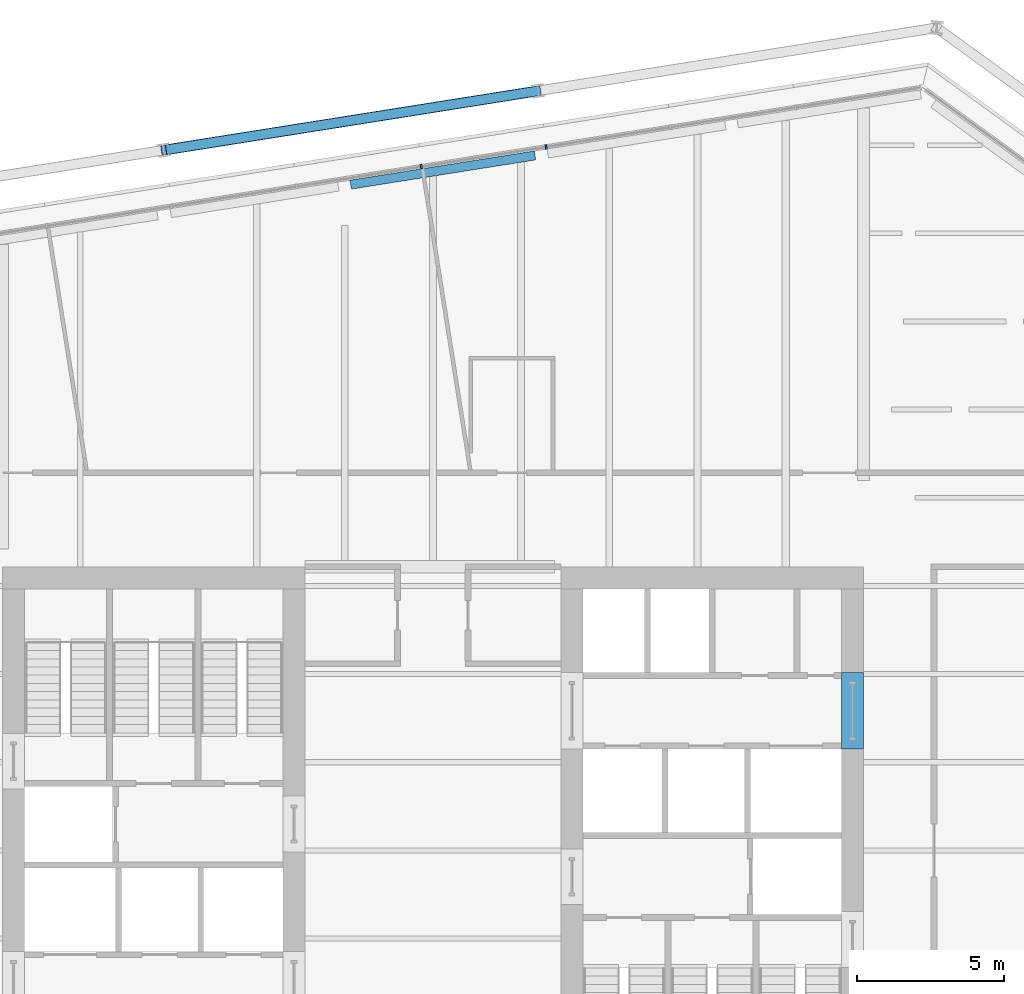
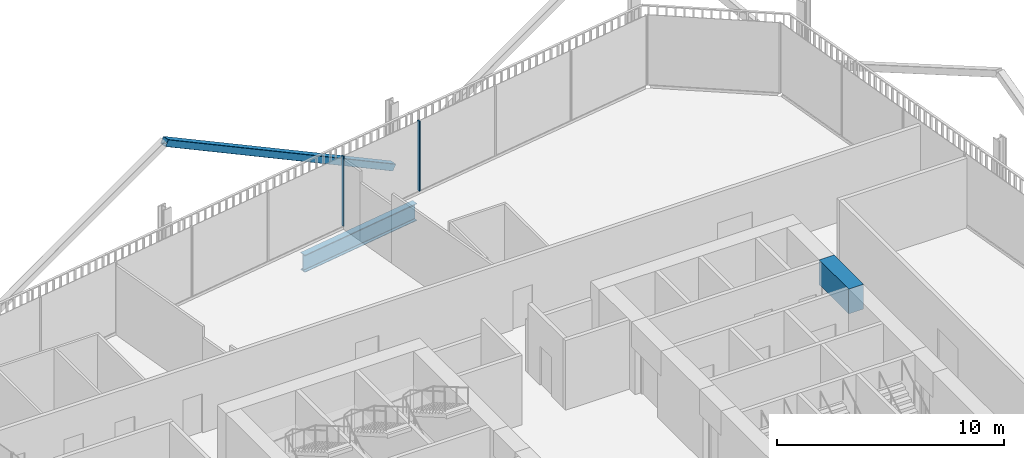
# One storey, part 10 of 19: 3 members, 2 beams, 1 element without a shape of its own.
"""IFC4 building model written with IfcOpenShell, lengths in metres."""

from ifc_helpers import new_model, si_unit, direction, frame, origin, origin_2d, place, context, subcontext, project, spatial, rectangle, hollow_rectangle, i_section, extrude, material, layer, layer_set, material_profile, profile_set, type_object, element, aggregate, save


model = new_model("IFC4")

# Units and contexts
model_context = context("Model", 3, precision=1e-05, world=origin(), true_north=direction((0.0, 1.0)))
body_context = subcontext(model_context, "Body", "Model", "MODEL_VIEW")
ifc_project = project(units=[si_unit("LENGTHUNIT", "METRE"), si_unit("AREAUNIT", "SQUARE_METRE"), si_unit("VOLUMEUNIT", "CUBIC_METRE"), si_unit("PLANEANGLEUNIT", "RADIAN"), si_unit("MASSUNIT", "GRAM", prefix="KILO")], contexts=[model_context])

# Site, building, storey
site_placement = place(None, origin())
site = spatial("IfcSite", under=ifc_project, at=site_placement, CompositionType="ELEMENT")
building_placement = place(site_placement, origin())
building = spatial("IfcBuilding", under=site, at=building_placement, Name="Millrace Tower", CompositionType="ELEMENT")
storey_placement = place(building_placement, frame((0.0, 0.0, 129.5)))
storey = spatial("IfcBuildingStorey", under=building, at=storey_placement, Name="L28", CompositionType="ELEMENT", Elevation=129.5)

# Curtain wall, members
ifc_material_1 = material(Name="Aluminium and glass", Category="aluminium")
ifc_layer = layer(ifc_material_1, 0.14990234375)
ifc_layer_set = layer_set([ifc_layer], Name="Aluminium and glass")
curtain_wall_type = type_object("IfcCurtainWallType", Name="CW-1 office vision curtain wall", PredefinedType="NOTDEFINED", material=ifc_layer_set)
curtain_wall_placement = place(storey_placement, origin())
curtain_wall = element("IfcCurtainWall", 1, at=curtain_wall_placement, inside=storey, type_object=curtain_wall_type, Name="Curtain wall C-F06 L28", PredefinedType="NOTDEFINED")
ifc_material_2 = material(Name="Aluminium", Category="aluminium")
ifc_material_profile_1 = material_profile(ifc_material_2, rectangle(XDim=0.06494140625, YDim=0.14990234375, at=origin_2d()))
ifc_profile_set_1 = profile_set([ifc_material_profile_1], Name="Aluminium")
member_type_1 = type_object("IfcMemberType", Name="CW-1 office vision curtain wall mullion", PredefinedType="MULLION", material=ifc_profile_set_1)
member_1_placement = place(storey_placement, frame((3.8505859375, 23.938720703125, 0.139892578125), z_axis=(0.0, 0.0, 1.0), x_axis=(-0.98768833929, -0.15643447328, 0.0)))
member_1 = element("IfcMember", 2, at=member_1_placement, type_object=member_type_1, Name="CW1 mullion C-F06.4", PredefinedType="MULLION", context=body_context, shape_type="SweptSolid", body=[
    extrude(rectangle(XDim=0.06494140625, YDim=0.14990234375, at=origin_2d()), origin(), (0.0, 0.0, 1.0), 3.760009765625),
])
member_2_placement = place(storey_placement, frame((-0.396484375, 23.26611328125, 0.139892578125), z_axis=(0.0, 0.0, 1.0), x_axis=(-0.98768833929, -0.15643447328, 0.0)))
member_2 = element("IfcMember", 3, at=member_2_placement, type_object=member_type_1, Name="CW1 mullion C-F06.5", PredefinedType="MULLION", context=body_context, shape_type="SweptSolid", body=[
    extrude(rectangle(XDim=0.06494140625, YDim=0.14990234375, at=origin_2d()), origin(), (0.0, 0.0, 1.0), 3.760009765625),
])
aggregate(curtain_wall, [member_1, member_2])

# Beam
ifc_material_3 = material(Name="Concrete C70", Category="concrete")
ifc_material_profile_2 = material_profile(ifc_material_3, rectangle(XDim=0.75, YDim=1.340087890625, at=origin_2d()))
ifc_profile_set_2 = profile_set([ifc_material_profile_2], Name="Concrete C70")
beam_type_1 = type_object("IfcBeamType", Name="Coupling beam 750 x 1340 Concrete C70, 2000 opening", PredefinedType="BEAM", material=ifc_profile_set_2)
beam_1_placement = place(storey_placement, frame((14.27490234375, 6.050048828125, 3.070068359375), z_axis=(0.0, -1.0, 0.0), x_axis=(1.0, 0.0, 0.0)))
element("IfcBeam", 4, at=beam_1_placement, inside=storey, type_object=beam_type_1, Name="Coupling beam E L28", PredefinedType="BEAM", context=body_context, shape_type="SweptSolid", body=[
    extrude(rectangle(XDim=0.75, YDim=1.340087890625, at=origin_2d()), origin(), (0.0, 0.0, 1.0), 2.60009765625),
])

# Member
ifc_material_4 = material(Name="Steel ASTM A500 Grade C", Category="steel")
ifc_material_profile_3 = material_profile(ifc_material_4, hollow_rectangle(XDim=0.355712890625, YDim=0.355712890625, WallThickness=0.015869140625, InnerFilletRadius=0.008056640625, OuterFilletRadius=0.02392578125, at=origin_2d()))
ifc_profile_set_3 = profile_set([ifc_material_profile_3], Name="Steel ASTM A500 Grade C")
member_type_2 = type_object("IfcMemberType", Name="Exoskeleton brace HSS14x14x5/8", PredefinedType="BRACE", material=ifc_profile_set_3)
member_3_placement = place(storey_placement, frame((3.58154296875, 25.844970703125, 0.39990234375), z_axis=(-0.868115902798, -0.137483289964, 0.476941426478), x_axis=(0.15642030113, -0.987690583834, 0.0)))
element("IfcMember", 5, at=member_3_placement, inside=storey, type_object=member_type_2, Name="BRC-C-L28-11", PredefinedType="BRACE", context=body_context, shape_type="SweptSolid", body=[
    extrude(hollow_rectangle(XDim=0.355712890625, YDim=0.355712890625, WallThickness=0.015869140625, InnerFilletRadius=0.008056640625, OuterFilletRadius=0.02392578125, at=origin_2d()), origin(), (0.0, 0.0, 1.0), 14.6767578125),
])

# Beam
ifc_material_5 = material(Name="Steel ASTM A992 Grade 50", Category="steel")
ifc_material_profile_4 = material_profile(ifc_material_5, i_section(OverallWidth=0.307373046875, OverallDepth=0.927001953125, WebThickness=0.01953125, FlangeThickness=0.031982421875, FilletRadius=0.01904296875, at=origin_2d()))
ifc_profile_set_4 = profile_set([ifc_material_profile_4], Name="Steel ASTM A992 Grade 50")
beam_type_2 = type_object("IfcBeamType", Name="Ring beam short span W36x194", PredefinedType="SPANDREL", material=ifc_profile_set_4)
beam_2_placement = place(storey_placement, frame((-2.79931640625, 22.65380859375, -0.62353515625), z_axis=(0.987683371704, 0.156465834159, 0.0), x_axis=(-0.156465834159, 0.987683371704, 0.0)))
element("IfcBeam", 6, at=beam_2_placement, inside=storey, type_object=beam_type_2, Name="RNG-C-L28-S1-06-b", PredefinedType="SPANDREL", context=body_context, shape_type="SweptSolid", body=[
    extrude(i_section(OverallWidth=0.307373046875, OverallDepth=0.927001953125, WebThickness=0.01953125, FlangeThickness=0.031982421875, FilletRadius=0.01904296875, at=origin_2d()), origin(), (0.0, 0.0, 1.0), 6.35205078125),
])

save(model, "model.ifc")
